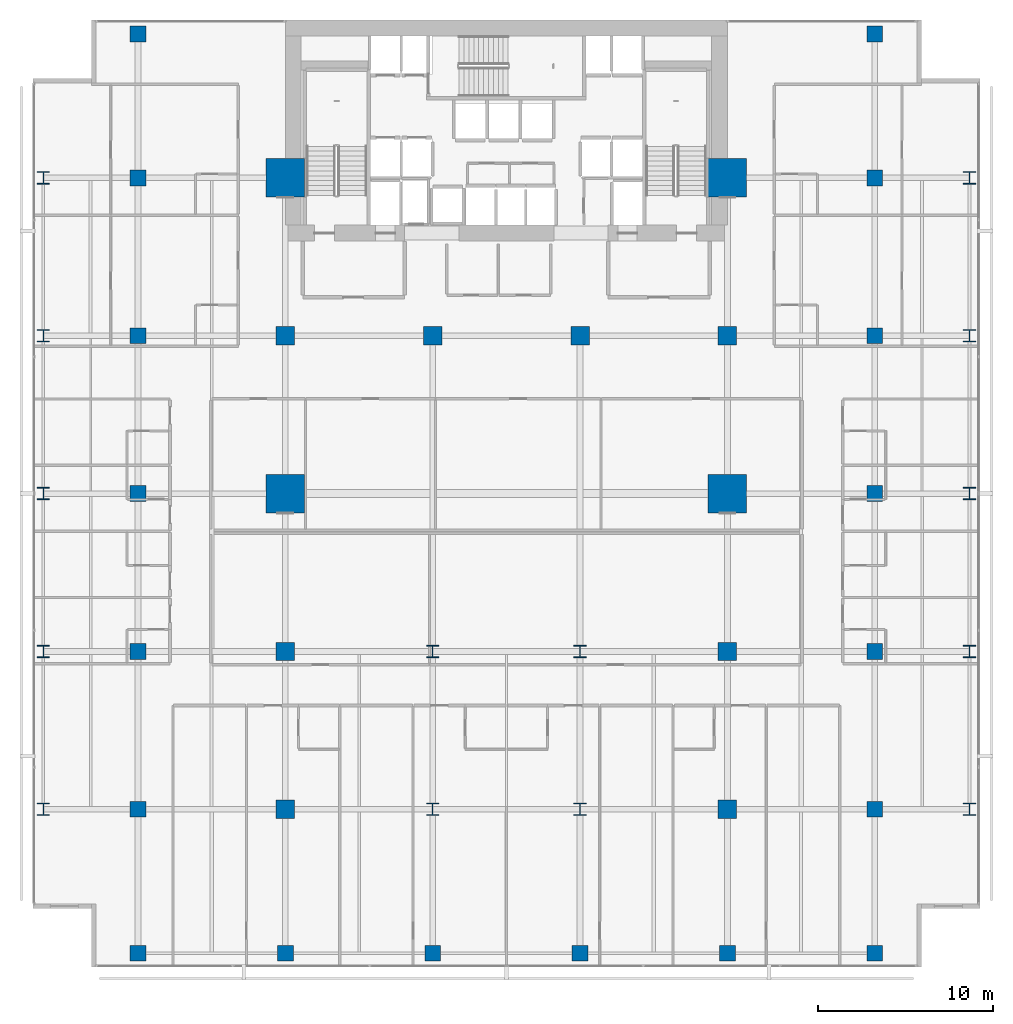
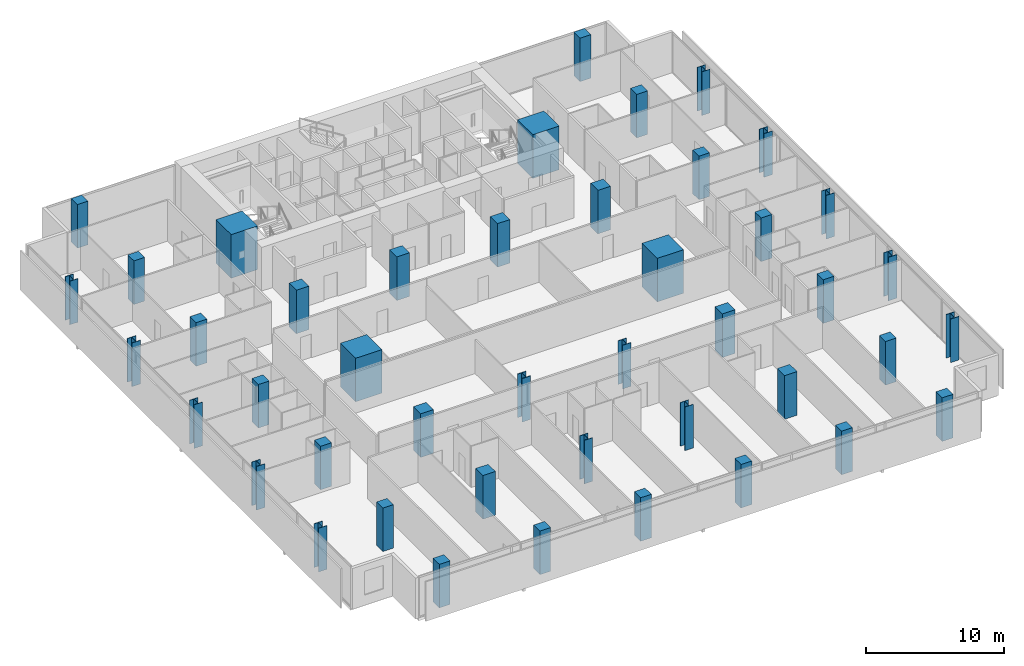
# One storey, part 1 of 40: 44 columns.
"""IFC4 building model written with IfcOpenShell, lengths in metres."""

from ifc_helpers import new_model, si_unit, direction, frame, origin, origin_2d, place, context, subcontext, project, spatial, rectangle, i_section, extrude, material, material_profile, profile_set, type_object, element, save


model = new_model("IFC4")

# Units and contexts
model_context = context("Model", 3, precision=1e-05, world=origin(), true_north=direction((0.0, 1.0)))
body_context = subcontext(model_context, "Body", "Model", "MODEL_VIEW")
ifc_project = project(units=[si_unit("LENGTHUNIT", "METRE"), si_unit("AREAUNIT", "SQUARE_METRE"), si_unit("VOLUMEUNIT", "CUBIC_METRE"), si_unit("PLANEANGLEUNIT", "RADIAN"), si_unit("MASSUNIT", "GRAM", prefix="KILO")], contexts=[model_context])

# Site, building, storey
site_placement = place(None, origin())
site = spatial("IfcSite", under=ifc_project, at=site_placement, CompositionType="ELEMENT")
building_placement = place(site_placement, origin())
building = spatial("IfcBuilding", under=site, at=building_placement, Name="Maruvema Waterfront Hotel and Observation Tower", CompositionType="ELEMENT")
storey_placement = place(building_placement, frame((0.0, 0.0, 107.800048828125)))
storey = spatial("IfcBuildingStorey", under=building, at=storey_placement, Name="L26", CompositionType="ELEMENT", Elevation=107.800048828125)

# Columns
ifc_material_1 = material(Name="Concrete C80/95", Category="concrete")
ifc_material_profile_1 = material_profile(ifc_material_1, rectangle(XDim=2.199951171875, YDim=2.199951171875, at=origin_2d()), Name="MC2200x2200")
ifc_profile_set_1 = profile_set([ifc_material_profile_1], Name="Concrete C80/95")
column_type_1 = type_object("IfcColumnType", Name="Continuous Mega-Column MC2200x2200", PredefinedType="COLUMN", material=ifc_profile_set_1)
for number, where, z_axis, x_axis, name in (
    (1, (25.199951171875, 27.0, 0.0), (0.0, 0.0, 1.0), (1.0, 0.0, 0.0), "L26 Continuous Mega-Column MC-01"),
    (2, (50.39990234375, 27.0, 0.0), (0.0, 0.0, 1.0), (1.0, 0.0, 0.0), "L26 Continuous Mega-Column MC-02"),
    (3, (25.199951171875, 45.0, 0.0), (0.0, 0.0, 1.0), (1.0, 0.0, 0.0), "L26 Continuous Mega-Column MC-03"),
    (4, (50.39990234375, 45.0, 0.0), (0.0, 0.0, 1.0), (1.0, 0.0, 0.0), "L26 Continuous Mega-Column MC-04"),
):
    element("IfcColumn", number, at=place(storey_placement, frame(where, z_axis=z_axis, x_axis=x_axis)), inside=storey, type_object=column_type_1, Name=name, PredefinedType="COLUMN", context=body_context, shape_type="SweptSolid", body=[
        extrude(rectangle(XDim=2.199951171875, YDim=2.199951171875, at=origin_2d()), origin(), (0.0, 0.0, 1.0), 3.849853515625),
    ])
ifc_material_2 = material(Name="Concrete C60/75", Category="concrete")
ifc_material_profile_2 = material_profile(ifc_material_2, rectangle(XDim=1.050048828125, YDim=1.050048828125, at=origin_2d()), Name="RC1050x1050")
ifc_profile_set_2 = profile_set([ifc_material_profile_2], Name="Concrete C60/75")
column_type_2 = type_object("IfcColumnType", Name="Reinforced Concrete Column RC1050x1050", PredefinedType="COLUMN", material=ifc_profile_set_2)
for number, where, z_axis, x_axis, name in (
    (5, (25.199951171875, 36.0, 0.0), (0.0, 0.0, 1.0), (1.0, 0.0, 0.0), "L26 Column C-4E"),
    (6, (33.60009765625, 36.0, 0.0), (0.0, 0.0, 1.0), (1.0, 0.0, 0.0), "L26 Column C-5E"),
    (7, (42.0, 36.0, 0.0), (0.0, 0.0, 1.0), (1.0, 0.0, 0.0), "L26 Column C-6E"),
    (8, (50.39990234375, 36.0, 0.0), (0.0, 0.0, 1.0), (1.0, 0.0, 0.0), "L26 Column C-7E"),
    (9, (25.199951171875, 18.0, 0.0), (0.0, 0.0, 1.0), (1.0, 0.0, 0.0), "L26 Column C-4C"),
    (10, (50.39990234375, 18.0, 0.0), (0.0, 0.0, 1.0), (1.0, 0.0, 0.0), "L26 Column C-7C"),
    (11, (25.199951171875, 9.0, 0.0), (0.0, 0.0, 1.0), (1.0, 0.0, 0.0), "L26 Column C-4B"),
    (12, (50.39990234375, 9.0, 0.0), (0.0, 0.0, 1.0), (1.0, 0.0, 0.0), "L26 Column C-7B"),
):
    element("IfcColumn", number, at=place(storey_placement, frame(where, z_axis=z_axis, x_axis=x_axis)), inside=storey, type_object=column_type_2, Name=name, PredefinedType="COLUMN", context=body_context, shape_type="SweptSolid", body=[
        extrude(rectangle(XDim=1.050048828125, YDim=1.050048828125, at=origin_2d()), origin(), (0.0, 0.0, 1.0), 3.849853515625),
    ])
ifc_material_3 = material(Name="Concrete C60/75", Category="concrete")
ifc_material_profile_3 = material_profile(ifc_material_3, rectangle(XDim=0.89990234375, YDim=0.89990234375, at=origin_2d()), Name="RC900x900")
ifc_profile_set_3 = profile_set([ifc_material_profile_3], Name="Concrete C60/75")
column_type_3 = type_object("IfcColumnType", Name="Reinforced Concrete Column RC900x900", PredefinedType="COLUMN", material=ifc_profile_set_3)
for number, where, z_axis, x_axis, name in (
    (13, (16.800048828125, 9.0, 0.0), (0.0, 0.0, 1.0), (1.0, 0.0, 0.0), "L26 Column C-3Y9"),
    (14, (58.800048828125, 9.0, 0.0), (0.0, 0.0, 1.0), (1.0, 0.0, 0.0), "L26 Column C-8Y9"),
    (15, (16.800048828125, 18.0, 0.0), (0.0, 0.0, 1.0), (1.0, 0.0, 0.0), "L26 Column C-3Y18"),
    (16, (58.800048828125, 18.0, 0.0), (0.0, 0.0, 1.0), (1.0, 0.0, 0.0), "L26 Column C-8Y18"),
    (17, (16.800048828125, 27.0, 0.0), (0.0, 0.0, 1.0), (1.0, 0.0, 0.0), "L26 Column C-3Y27"),
    (18, (58.800048828125, 27.0, 0.0), (0.0, 0.0, 1.0), (1.0, 0.0, 0.0), "L26 Column C-8Y27"),
    (19, (16.800048828125, 36.0, 0.0), (0.0, 0.0, 1.0), (1.0, 0.0, 0.0), "L26 Column C-3Y36"),
    (20, (58.800048828125, 36.0, 0.0), (0.0, 0.0, 1.0), (1.0, 0.0, 0.0), "L26 Column C-8Y36"),
    (21, (16.800048828125, 45.0, 0.0), (0.0, 0.0, 1.0), (1.0, 0.0, 0.0), "L26 Column C-3Y45"),
    (22, (58.800048828125, 45.0, 0.0), (0.0, 0.0, 1.0), (1.0, 0.0, 0.0), "L26 Column C-8Y45"),
    (23, (16.800048828125, 0.800048828125, 0.0), (0.0, 0.0, 1.0), (1.0, 0.0, 0.0), "L26 Column C-3A"),
    (24, (25.199951171875, 0.800048828125, 0.0), (0.0, 0.0, 1.0), (1.0, 0.0, 0.0), "L26 Column C-4A"),
    (25, (33.60009765625, 0.800048828125, 0.0), (0.0, 0.0, 1.0), (1.0, 0.0, 0.0), "L26 Column C-5A"),
    (26, (42.0, 0.800048828125, 0.0), (0.0, 0.0, 1.0), (1.0, 0.0, 0.0), "L26 Column C-6A"),
    (27, (50.39990234375, 0.800048828125, 0.0), (0.0, 0.0, 1.0), (1.0, 0.0, 0.0), "L26 Column C-7A"),
    (28, (58.800048828125, 0.800048828125, 0.0), (0.0, 0.0, 1.0), (1.0, 0.0, 0.0), "L26 Column C-8A"),
    (29, (16.800048828125, 53.199951171875, 0.0), (0.0, 0.0, 1.0), (1.0, 0.0, 0.0), "L26 Column C-3G"),
    (30, (58.800048828125, 53.199951171875, 0.0), (0.0, 0.0, 1.0), (1.0, 0.0, 0.0), "L26 Column C-8G"),
):
    element("IfcColumn", number, at=place(storey_placement, frame(where, z_axis=z_axis, x_axis=x_axis)), inside=storey, type_object=column_type_3, Name=name, PredefinedType="COLUMN", context=body_context, shape_type="SweptSolid", body=[
        extrude(rectangle(XDim=0.89990234375, YDim=0.89990234375, at=origin_2d()), origin(), (0.0, 0.0, 1.0), 3.849853515625),
    ])
ifc_material_4 = material(Name="Steel ABNT NBR 7007 AR 415 (ASTM A572 Grade 50)", Category="steel")
ifc_material_profile_4 = material_profile(ifc_material_4, i_section(OverallWidth=0.699951171875, OverallDepth=0.699951171875, WebThickness=0.028076171875, FlangeThickness=0.0439453125, at=origin_2d()), Name="CVS700x436")
ifc_profile_set_4 = profile_set([ifc_material_profile_4], Name="Steel ABNT NBR 7007 AR 415 (ASTM A572 Grade 50)")
column_type_4 = type_object("IfcColumnType", Name="Structural Steel Column CVS700x436", PredefinedType="COLUMN", material=ifc_profile_set_4)
for number, where, z_axis, x_axis, name in (
    (31, (33.60009765625, 9.0, 0.0), (0.0, 0.0, 1.0), (1.0, 0.0, 0.0), "L26 Column C-5B"),
    (32, (42.0, 9.0, 0.0), (0.0, 0.0, 1.0), (1.0, 0.0, 0.0), "L26 Column C-6B"),
    (33, (33.60009765625, 18.0, 0.0), (0.0, 0.0, 1.0), (1.0, 0.0, 0.0), "L26 Column C-5C"),
    (34, (42.0, 18.0, 0.0), (0.0, 0.0, 1.0), (1.0, 0.0, 0.0), "L26 Column C-6C"),
    (35, (11.39990234375, 9.0, 0.0), (0.0, 0.0, 1.0), (1.0, 0.0, 0.0), "L26 Column C-Z1W9"),
    (36, (64.199951171875, 9.0, 0.0), (0.0, 0.0, 1.0), (1.0, 0.0, 0.0), "L26 Column C-Z1E9"),
    (37, (11.39990234375, 18.0, 0.0), (0.0, 0.0, 1.0), (1.0, 0.0, 0.0), "L26 Column C-Z1W18"),
    (38, (64.199951171875, 18.0, 0.0), (0.0, 0.0, 1.0), (1.0, 0.0, 0.0), "L26 Column C-Z1E18"),
    (39, (11.39990234375, 27.0, 0.0), (0.0, 0.0, 1.0), (1.0, 0.0, 0.0), "L26 Column C-Z1W27"),
    (40, (64.199951171875, 27.0, 0.0), (0.0, 0.0, 1.0), (1.0, 0.0, 0.0), "L26 Column C-Z1E27"),
    (41, (11.39990234375, 36.0, 0.0), (0.0, 0.0, 1.0), (1.0, 0.0, 0.0), "L26 Column C-Z1W36"),
    (42, (64.199951171875, 36.0, 0.0), (0.0, 0.0, 1.0), (1.0, 0.0, 0.0), "L26 Column C-Z1E36"),
    (43, (11.39990234375, 45.0, 0.0), (0.0, 0.0, 1.0), (1.0, 0.0, 0.0), "L26 Column C-Z1W45"),
    (44, (64.199951171875, 45.0, 0.0), (0.0, 0.0, 1.0), (1.0, 0.0, 0.0), "L26 Column C-Z1E45"),
):
    element("IfcColumn", number, at=place(storey_placement, frame(where, z_axis=z_axis, x_axis=x_axis)), inside=storey, type_object=column_type_4, Name=name, PredefinedType="COLUMN", context=body_context, shape_type="SweptSolid", body=[
        extrude(i_section(OverallWidth=0.699951171875, OverallDepth=0.699951171875, WebThickness=0.028076171875, FlangeThickness=0.0439453125, at=origin_2d()), origin(), (0.0, 0.0, 1.0), 3.849853515625),
    ])

save(model, "model.ifc")
